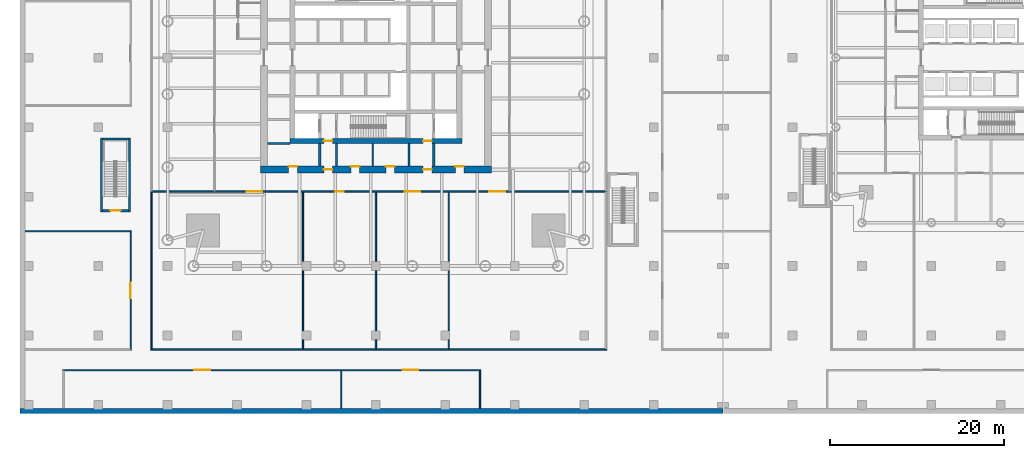
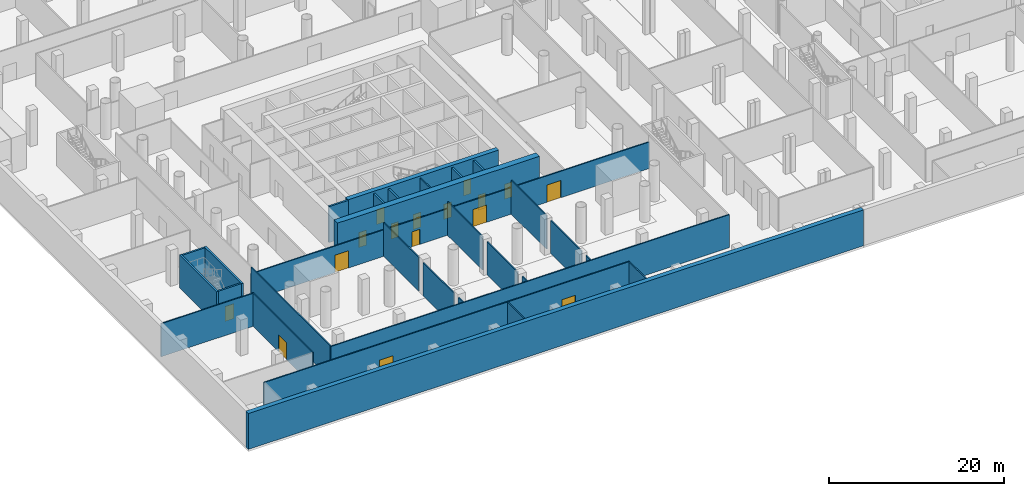
# One storey, part 7 of 22: 30 walls, 16 doors, 16 openings.
"""IFC4 building model written with IfcOpenShell, lengths in metres."""

from ifc_helpers import new_model, si_unit, direction, frame, frame_2d, origin, place, context, subcontext, project, spatial, rectangle, extrude, material, layer, layer_set, type_object, element, fill, save


model = new_model("IFC4")

# Units and contexts
model_context = context("Model", 3, precision=1e-05, world=origin(), true_north=direction((0.0, 1.0)))
body_context = subcontext(model_context, "Body", "Model", "MODEL_VIEW")
ifc_project = project(units=[si_unit("LENGTHUNIT", "METRE"), si_unit("AREAUNIT", "SQUARE_METRE"), si_unit("VOLUMEUNIT", "CUBIC_METRE"), si_unit("PLANEANGLEUNIT", "RADIAN"), si_unit("MASSUNIT", "GRAM", prefix="KILO")], contexts=[model_context])

# Site, building, storey
site_placement = place(None, origin())
site = spatial("IfcSite", under=ifc_project, at=site_placement, CompositionType="ELEMENT")
building_placement = place(site_placement, origin())
building = spatial("IfcBuilding", under=site, at=building_placement, Name="Ostroluk Exchange", CompositionType="ELEMENT")
storey_placement = place(building_placement, frame((0.0, 0.0, -5.0)))
storey = spatial("IfcBuildingStorey", under=building, at=storey_placement, Name="B1", CompositionType="ELEMENT", Elevation=-5.0)

# Walls
ifc_material_1 = material(Name="Concrete C35/45", Category="concrete")
ifc_layer_1 = layer(ifc_material_1, 0.60009765625)
ifc_layer_set_1 = layer_set([ifc_layer_1], Name="Basement retaining wall 600")
wall_type_1 = type_object("IfcWallType", Name="Basement retaining wall 600", PredefinedType="USERDEFINED", material=ifc_layer_set_1)
wall_1_placement = place(storey_placement, frame((4.0, 5.300048828125, 0.0), z_axis=(0.0, 0.0, 1.0), x_axis=(1.0, 0.0, 0.0)))
element("IfcWall", 1, at=wall_1_placement, inside=storey, type_object=wall_type_1, Name="Retaining wall B1 SW", ObjectType="RETAINING WALL", PredefinedType="USERDEFINED", context=body_context, shape_type="SweptSolid", body=[
    extrude(rectangle(XDim=80.97509765625, YDim=0.60009765625, at=frame_2d((40.487548828125, 0.0))), origin(), (0.0, 0.0, 1.0), 5.0),
])
ifc_material_2 = material(Name="Concrete blockwork", Category="masonry")
ifc_layer_2 = layer(ifc_material_2, 0.14990234375)
ifc_layer_set_2 = layer_set([ifc_layer_2], Name="Blockwork plant room wall 150")
wall_type_2 = type_object("IfcWallType", Name="Blockwork plant room wall 150", PredefinedType="SOLIDWALL", material=ifc_layer_set_2)
wall_2_placement = place(storey_placement, frame((44.639892578125, 33.5, 0.0), z_axis=(0.0, 0.0, 1.0), x_axis=(0.0, 1.0, 0.0)))
element("IfcWall", 2, at=wall_2_placement, inside=storey, type_object=wall_type_2, Name="Core room wall", PredefinedType="SOLIDWALL", context=body_context, shape_type="SweptSolid", body=[
    extrude(rectangle(XDim=2.60009765625, YDim=0.14990234375, at=frame_2d((1.300048828125, 0.0))), origin(), (0.0, 0.0, 1.0), 4.699951171875),
])
ifc_material_3 = material(Name="Concrete blockwork", Category="masonry")
ifc_layer_3 = layer(ifc_material_3, 0.25)
ifc_layer_set_3 = layer_set([ifc_layer_3], Name="Blockwork stair enclosure wall 250")
wall_type_3 = type_object("IfcWallType", Name="Blockwork stair enclosure wall 250", PredefinedType="SOLIDWALL", material=ifc_layer_set_3)
for number, where, z_axis, x_axis, name in (
    (3, (38.52490234375, 33.5, 0.0), (0.0, 0.0, 1.0), (0.0, 1.0, 0.0), "Fire lobby enclosure wall"),
    (4, (40.47509765625, 33.5, 0.0), (0.0, 0.0, 1.0), (0.0, 1.0, 0.0), "Fire lobby enclosure wall"),
    (5, (48.804931640625, 33.5, 0.0), (0.0, 0.0, 1.0), (0.0, 1.0, 0.0), "Service lobby enclosure wall"),
    (6, (51.675048828125, 33.5, 0.0), (0.0, 0.0, 1.0), (0.0, 1.0, 0.0), "Service lobby enclosure wall"),
):
    element("IfcWall", number, at=place(storey_placement, frame(where, z_axis=z_axis, x_axis=x_axis)), inside=storey, type_object=wall_type_3, Name=name, PredefinedType="SOLIDWALL", context=body_context, shape_type="SweptSolid", body=[
        extrude(rectangle(XDim=2.60009765625, YDim=0.25, at=frame_2d((1.300048828125, 0.0))), origin(), (0.0, 0.0, 1.0), 4.699951171875),
    ])
for number, where, z_axis, x_axis, name in (
    (7, (13.375, 28.25, 0.0), (0.0, 0.0, 1.0), (0.0, 1.0, 0.0), "Stair PS1 enclosure wall"),
    (8, (16.625, 28.25, 0.0), (0.0, 0.0, 1.0), (0.0, 1.0, 0.0), "Stair PS1 enclosure wall"),
):
    element("IfcWall", number, at=place(storey_placement, frame(where, z_axis=z_axis, x_axis=x_axis)), inside=storey, type_object=wall_type_3, Name=name, PredefinedType="SOLIDWALL", context=body_context, shape_type="SweptSolid", body=[
        extrude(rectangle(XDim=8.5, YDim=0.25, at=frame_2d((4.25, 0.0))), origin(), (0.0, 0.0, 1.0), 4.60009765625),
    ])

# Wall, opening, door
wall_3_placement = place(storey_placement, frame((13.5, 28.375, 0.0), z_axis=(0.0, 0.0, 1.0), x_axis=(1.0, 0.0, 0.0)))
wall_3 = element("IfcWall", 9, at=wall_3_placement, inside=storey, type_object=wall_type_3, Name="Stair PS1 enclosure wall", PredefinedType="SOLIDWALL", context=body_context, shape_type="SweptSolid", body=[
    extrude(rectangle(XDim=3.0, YDim=0.25, at=frame_2d((1.5, 0.0))), origin(), (0.0, 0.0, 1.0), 4.60009765625),
])
opening_1_placement = place(wall_3_placement, frame((0.89990234375, 0.0, 0.0)))
opening_1 = element("IfcOpeningElement", 10, at=opening_1_placement, cuts=wall_3, Name="Opening FD60S", PredefinedType="OPENING", context=body_context, shape_type="SweptSolid", body=[
    extrude(rectangle(XDim=1.199951171875, YDim=2.10009765625, at=frame_2d((0.60009765625, 1.050048828125))), frame((0.0, 0.135009765625, 0.0), z_axis=(0.0, -1.0, 0.0), x_axis=(1.0, 0.0, 0.0)), (0.0, 0.0, 1.0), 0.27001953125),
])
ifc_material_4 = material(Name="Steel", Category="steel")
door_type_1 = type_object("IfcDoorType", Name="Stair door EI 60 1200 x 2100", OperationType="SINGLE_SWING_LEFT", PredefinedType="DOOR", material=ifc_material_4)
door_1_placement = place(opening_1_placement, origin())
door_1 = element("IfcDoor", 11, at=door_1_placement, inside=storey, type_object=door_type_1, Name="Stair PS1 door", OperationType="SINGLE_SWING_LEFT", OverallHeight=2.10009765625, OverallWidth=1.199951171875, PredefinedType="DOOR", context=body_context, shape_type="SweptSolid", body=[
    extrude(rectangle(XDim=1.199951171875, YDim=2.10009765625, at=frame_2d((0.60009765625, 1.050048828125))), frame((0.0, 0.02490234375, 0.0), z_axis=(0.0, -1.0, 0.0), x_axis=(1.0, 0.0, 0.0)), (0.0, 0.0, 1.0), 0.050048828125),
])
fill(opening_1, door_1)

# Walls
wall_4_placement = place(storey_placement, frame((13.5, 36.625, 0.0), z_axis=(0.0, 0.0, 1.0), x_axis=(1.0, 0.0, 0.0)))
element("IfcWall", 12, at=wall_4_placement, inside=storey, type_object=wall_type_3, Name="Stair PS1 enclosure wall", PredefinedType="SOLIDWALL", context=body_context, shape_type="SweptSolid", body=[
    extrude(rectangle(XDim=3.0, YDim=0.25, at=frame_2d((1.5, 0.0))), origin(), (0.0, 0.0, 1.0), 4.60009765625),
])
ifc_material_5 = material(Name="Concrete C40/50", Category="concrete")
ifc_layer_4 = layer(ifc_material_5, 0.25)
ifc_layer_set_4 = layer_set([ifc_layer_4], Name="Core shaft wall 250")
wall_type_4 = type_object("IfcWallType", Name="Core shaft wall 250", PredefinedType="SHEAR", material=ifc_layer_set_4)
wall_5_placement = place(storey_placement, frame((32.5, 36.125, 0.0), z_axis=(0.0, 0.0, 1.0), x_axis=(1.0, 0.0, 0.0)))
element("IfcWall", 13, at=wall_5_placement, inside=storey, type_object=wall_type_4, Name="Lift shaft wall", PredefinedType="SHEAR", context=body_context, shape_type="SweptSolid", body=[
    extrude(rectangle(XDim=2.60009765625, YDim=0.25, at=frame_2d((1.300048828125, 0.0))), origin(), (0.0, 0.0, 1.0), 5.0),
])

# Wall, openings, doors
ifc_material_6 = material(Name="Concrete C50/60", Category="concrete")
ifc_layer_5 = layer(ifc_material_6, 0.60009765625)
ifc_layer_set_5 = layer_set([ifc_layer_5], Name="Core wall 600 C50/60")
wall_type_5 = type_object("IfcWallType", Name="Core wall 600 C50/60", PredefinedType="SHEAR", material=ifc_layer_set_5)
wall_6_placement = place(storey_placement, frame((35.10009765625, 36.39990234375, 0.0), z_axis=(0.0, 0.0, 1.0), x_axis=(1.0, 0.0, 0.0)))
wall_6 = element("IfcWall", 14, at=wall_6_placement, inside=storey, type_object=wall_type_5, Name="T1 core wall S", PredefinedType="SHEAR", context=body_context, shape_type="SweptSolid", body=[
    extrude(rectangle(XDim=19.7998046875, YDim=0.60009765625, at=frame_2d((9.89990234375, 0.0))), origin(), (0.0, 0.0, 1.0), 5.0),
])
opening_2_placement = place(wall_6_placement, frame((3.89990234375, 0.0, 0.0)))
opening_2 = element("IfcOpeningElement", 15, at=opening_2_placement, cuts=wall_6, Name="Opening FD60", PredefinedType="OPENING", context=body_context, shape_type="SweptSolid", body=[
    extrude(rectangle(XDim=1.0, YDim=2.10009765625, at=frame_2d((0.5, 1.050048828125))), frame((0.0, 0.31005859375, 0.0), z_axis=(0.0, -1.0, 0.0), x_axis=(1.0, 0.0, 0.0)), (0.0, 0.0, 1.0), 0.6201171875),
])
opening_3_placement = place(wall_6_placement, frame((15.35009765625, 0.0, 0.0)))
opening_3 = element("IfcOpeningElement", 16, at=opening_3_placement, cuts=wall_6, Name="Opening FD60", PredefinedType="OPENING", context=body_context, shape_type="SweptSolid", body=[
    extrude(rectangle(XDim=1.0, YDim=2.10009765625, at=frame_2d((0.5, 1.050048828125))), frame((0.0, 0.31005859375, 0.0), z_axis=(0.0, -1.0, 0.0), x_axis=(1.0, 0.0, 0.0)), (0.0, 0.0, 1.0), 0.6201171875),
])
ifc_material_7 = material(Name="Steel", Category="steel")
door_type_2 = type_object("IfcDoorType", Name="Fire door EI 60 1000 x 2100", OperationType="SINGLE_SWING_LEFT", PredefinedType="DOOR", material=ifc_material_7)
door_2_placement = place(opening_2_placement, origin())
door_2 = element("IfcDoor", 17, at=door_2_placement, inside=storey, type_object=door_type_2, Name="Firefighting lobby door", OperationType="SINGLE_SWING_LEFT", OverallHeight=2.10009765625, OverallWidth=1.0, PredefinedType="DOOR", context=body_context, shape_type="SweptSolid", body=[
    extrude(rectangle(XDim=1.0, YDim=2.10009765625, at=frame_2d((0.5, 1.050048828125))), frame((0.0, 0.02490234375, 0.0), z_axis=(0.0, -1.0, 0.0), x_axis=(1.0, 0.0, 0.0)), (0.0, 0.0, 1.0), 0.050048828125),
])
fill(opening_2, door_2)
door_3_placement = place(opening_3_placement, origin())
door_3 = element("IfcDoor", 18, at=door_3_placement, inside=storey, type_object=door_type_2, Name="Service lobby door", OperationType="SINGLE_SWING_RIGHT", OverallHeight=2.10009765625, OverallWidth=1.0, PredefinedType="DOOR", context=body_context, shape_type="SweptSolid", body=[
    extrude(rectangle(XDim=1.0, YDim=2.10009765625, at=frame_2d((0.5, 1.050048828125))), frame((0.0, 0.02490234375, 0.0), z_axis=(0.0, -1.0, 0.0), x_axis=(1.0, 0.0, 0.0)), (0.0, 0.0, 1.0), 0.050048828125),
])
fill(opening_3, door_3)

ifc_material_8 = material(Name="Concrete C50/60", Category="concrete")
ifc_layer_6 = layer(ifc_material_8, 0.800048828125)
ifc_layer_set_6 = layer_set([ifc_layer_6], Name="Core wall 800 C50/60")
wall_type_6 = type_object("IfcWallType", Name="Core wall 800 C50/60", PredefinedType="SHEAR", material=ifc_layer_set_6)
wall_7_placement = place(storey_placement, frame((31.699951171875, 33.10009765625, 0.0), z_axis=(0.0, 0.0, 1.0), x_axis=(1.0, 0.0, 0.0)))
wall_7 = element("IfcWall", 19, at=wall_7_placement, inside=storey, type_object=wall_type_6, Name="T1 core wall RS", PredefinedType="SHEAR", context=body_context, shape_type="SweptSolid", body=[
    extrude(rectangle(XDim=26.60009765625, YDim=0.800048828125, at=frame_2d((13.300048828125, 0.0))), origin(), (0.0, 0.0, 1.0), 5.0),
])
opening_4_placement = place(wall_7_placement, frame((7.300048828125, 0.0, 0.0)))
opening_4 = element("IfcOpeningElement", 20, at=opening_4_placement, cuts=wall_7, Name="Opening FD60", PredefinedType="OPENING", context=body_context, shape_type="SweptSolid", body=[
    extrude(rectangle(XDim=1.0, YDim=2.10009765625, at=frame_2d((0.5, 1.050048828125))), frame((0.0, 0.409912109375, 0.0), z_axis=(0.0, -1.0, 0.0), x_axis=(1.0, 0.0, 0.0)), (0.0, 0.0, 1.0), 0.820068359375),
])
opening_5_placement = place(wall_7_placement, frame((18.75, 0.0, 0.0)))
opening_5 = element("IfcOpeningElement", 21, at=opening_5_placement, cuts=wall_7, Name="Opening FD60", PredefinedType="OPENING", context=body_context, shape_type="SweptSolid", body=[
    extrude(rectangle(XDim=1.0, YDim=2.10009765625, at=frame_2d((0.5, 1.050048828125))), frame((0.0, 0.409912109375, 0.0), z_axis=(0.0, -1.0, 0.0), x_axis=(1.0, 0.0, 0.0)), (0.0, 0.0, 1.0), 0.820068359375),
])
opening_6_placement = place(wall_7_placement, frame((3.25, 0.0, 0.0)))
opening_6 = element("IfcOpeningElement", 22, at=opening_6_placement, cuts=wall_7, Name="Opening FD60", PredefinedType="OPENING", context=body_context, shape_type="SweptSolid", body=[
    extrude(rectangle(XDim=1.0, YDim=2.10009765625, at=frame_2d((0.5, 1.050048828125))), frame((0.0, 0.409912109375, 0.0), z_axis=(0.0, -1.0, 0.0), x_axis=(1.0, 0.0, 0.0)), (0.0, 0.0, 1.0), 0.820068359375),
])
opening_7_placement = place(wall_7_placement, frame((10.419921875, 0.0, 0.0)))
opening_7 = element("IfcOpeningElement", 23, at=opening_7_placement, cuts=wall_7, Name="Opening FD60", PredefinedType="OPENING", context=body_context, shape_type="SweptSolid", body=[
    extrude(rectangle(XDim=1.0, YDim=2.10009765625, at=frame_2d((0.5, 1.050048828125))), frame((0.0, 0.409912109375, 0.0), z_axis=(0.0, -1.0, 0.0), x_axis=(1.0, 0.0, 0.0)), (0.0, 0.0, 1.0), 0.820068359375),
])
opening_8_placement = place(wall_7_placement, frame((14.4599609375, 0.0, 0.0)))
opening_8 = element("IfcOpeningElement", 24, at=opening_8_placement, cuts=wall_7, Name="Opening FD60", PredefinedType="OPENING", context=body_context, shape_type="SweptSolid", body=[
    extrude(rectangle(XDim=1.0, YDim=2.10009765625, at=frame_2d((0.5, 1.050048828125))), frame((0.0, 0.409912109375, 0.0), z_axis=(0.0, -1.0, 0.0), x_axis=(1.0, 0.0, 0.0)), (0.0, 0.0, 1.0), 0.820068359375),
])
opening_9_placement = place(wall_7_placement, frame((22.449951171875, 0.0, 0.0)))
opening_9 = element("IfcOpeningElement", 25, at=opening_9_placement, cuts=wall_7, Name="Opening FD60", PredefinedType="OPENING", context=body_context, shape_type="SweptSolid", body=[
    extrude(rectangle(XDim=1.0, YDim=2.10009765625, at=frame_2d((0.5, 1.050048828125))), frame((0.0, 0.409912109375, 0.0), z_axis=(0.0, -1.0, 0.0), x_axis=(1.0, 0.0, 0.0)), (0.0, 0.0, 1.0), 0.820068359375),
])
door_4_placement = place(opening_4_placement, origin())
door_4 = element("IfcDoor", 26, at=door_4_placement, inside=storey, type_object=door_type_2, Name="Firefighting lobby door", OperationType="SINGLE_SWING_LEFT", OverallHeight=2.10009765625, OverallWidth=1.0, PredefinedType="DOOR", context=body_context, shape_type="SweptSolid", body=[
    extrude(rectangle(XDim=1.0, YDim=2.10009765625, at=frame_2d((0.5, 1.050048828125))), frame((0.0, 0.02490234375, 0.0), z_axis=(0.0, -1.0, 0.0), x_axis=(1.0, 0.0, 0.0)), (0.0, 0.0, 1.0), 0.050048828125),
])
fill(opening_4, door_4)
door_5_placement = place(opening_5_placement, origin())
door_5 = element("IfcDoor", 27, at=door_5_placement, inside=storey, type_object=door_type_2, Name="Service lobby door", OperationType="SINGLE_SWING_RIGHT", OverallHeight=2.10009765625, OverallWidth=1.0, PredefinedType="DOOR", context=body_context, shape_type="SweptSolid", body=[
    extrude(rectangle(XDim=1.0, YDim=2.10009765625, at=frame_2d((0.5, 1.050048828125))), frame((0.0, 0.02490234375, 0.0), z_axis=(0.0, -1.0, 0.0), x_axis=(1.0, 0.0, 0.0)), (0.0, 0.0, 1.0), 0.050048828125),
])
fill(opening_5, door_5)
door_6_placement = place(opening_6_placement, origin())
door_6 = element("IfcDoor", 28, at=door_6_placement, inside=storey, type_object=door_type_2, Name="Cleaner's store door", OperationType="SINGLE_SWING_LEFT", OverallHeight=2.10009765625, OverallWidth=1.0, PredefinedType="DOOR", context=body_context, shape_type="SweptSolid", body=[
    extrude(rectangle(XDim=1.0, YDim=2.10009765625, at=frame_2d((0.5, 1.050048828125))), frame((0.0, 0.39013671875, 0.0), z_axis=(0.0, -1.0, 0.0), x_axis=(1.0, 0.0, 0.0)), (0.0, 0.0, 1.0), 0.050048828125),
])
fill(opening_6, door_6)
door_7_placement = place(opening_7_placement, origin())
door_7 = element("IfcDoor", 29, at=door_7_placement, inside=storey, type_object=door_type_2, Name="Comms switch room door", OperationType="SINGLE_SWING_LEFT", OverallHeight=2.10009765625, OverallWidth=1.0, PredefinedType="DOOR", context=body_context, shape_type="SweptSolid", body=[
    extrude(rectangle(XDim=1.0, YDim=2.10009765625, at=frame_2d((0.5, 1.050048828125))), frame((0.0, 0.39013671875, 0.0), z_axis=(0.0, -1.0, 0.0), x_axis=(1.0, 0.0, 0.0)), (0.0, 0.0, 1.0), 0.050048828125),
])
fill(opening_7, door_7)
door_8_placement = place(opening_8_placement, origin())
door_8 = element("IfcDoor", 30, at=door_8_placement, inside=storey, type_object=door_type_2, Name="Electrical switch room door", OperationType="SINGLE_SWING_RIGHT", OverallHeight=2.10009765625, OverallWidth=1.0, PredefinedType="DOOR", context=body_context, shape_type="SweptSolid", body=[
    extrude(rectangle(XDim=1.0, YDim=2.10009765625, at=frame_2d((0.5, 1.050048828125))), frame((0.0, 0.39013671875, 0.0), z_axis=(0.0, -1.0, 0.0), x_axis=(1.0, 0.0, 0.0)), (0.0, 0.0, 1.0), 0.050048828125),
])
fill(opening_8, door_8)
door_9_placement = place(opening_9_placement, origin())
door_9 = element("IfcDoor", 31, at=door_9_placement, inside=storey, type_object=door_type_2, Name="Cleaner's store door", OperationType="SINGLE_SWING_RIGHT", OverallHeight=2.10009765625, OverallWidth=1.0, PredefinedType="DOOR", context=body_context, shape_type="SweptSolid", body=[
    extrude(rectangle(XDim=1.0, YDim=2.10009765625, at=frame_2d((0.5, 1.050048828125))), frame((0.0, 0.39013671875, 0.0), z_axis=(0.0, -1.0, 0.0), x_axis=(1.0, 0.0, 0.0)), (0.0, 0.0, 1.0), 0.050048828125),
])
fill(opening_9, door_9)

ifc_material_9 = material(Name="Gypsum plasterboard partition", Category="gypsum")
ifc_layer_7 = layer(ifc_material_9, 0.14990234375)
ifc_layer_set_7 = layer_set([ifc_layer_7], Name="Plasterboard partition 150")
wall_type_7 = type_object("IfcWallType", Name="Plasterboard partition 150", PredefinedType="PARTITIONING", material=ifc_layer_set_7)
wall_8_placement = place(storey_placement, frame((8.925048828125, 10.0, 0.0), z_axis=(0.0, 0.0, 1.0), x_axis=(1.0, 0.0, 0.0)))
wall_8 = element("IfcWall", 32, at=wall_8_placement, inside=storey, type_object=wall_type_7, Name="Partition", PredefinedType="PARTITIONING", context=body_context, shape_type="SweptSolid", body=[
    extrude(rectangle(XDim=48.14990234375, YDim=0.14990234375, at=frame_2d((24.074951171875, 0.0))), origin(), (0.0, 0.0, 1.0), 4.60009765625),
])
opening_10_placement = place(wall_8_placement, frame((15.175048828125, 0.0, 0.0)))
opening_10 = element("IfcOpeningElement", 33, at=opening_10_placement, cuts=wall_8, Name="Opening D-05", PredefinedType="OPENING", context=body_context, shape_type="SweptSolid", body=[
    extrude(rectangle(XDim=1.800048828125, YDim=2.39990234375, at=frame_2d((0.89990234375, 1.199951171875))), frame((0.0, 0.0849609375, 0.0), z_axis=(0.0, -1.0, 0.0), x_axis=(1.0, 0.0, 0.0)), (0.0, 0.0, 1.0), 0.169921875),
])
opening_11_placement = place(wall_8_placement, frame((39.175048828125, 0.0, 0.0)))
opening_11 = element("IfcOpeningElement", 34, at=opening_11_placement, cuts=wall_8, Name="Opening D-05", PredefinedType="OPENING", context=body_context, shape_type="SweptSolid", body=[
    extrude(rectangle(XDim=1.800048828125, YDim=2.39990234375, at=frame_2d((0.89990234375, 1.199951171875))), frame((0.0, 0.0849609375, 0.0), z_axis=(0.0, -1.0, 0.0), x_axis=(1.0, 0.0, 0.0)), (0.0, 0.0, 1.0), 0.169921875),
])
ifc_material_10 = material(Name="Steel", Category="steel")
door_type_3 = type_object("IfcDoorType", Name="Plant room double door EI 60 1800 x 2400", OperationType="DOUBLE_DOOR_SINGLE_SWING", PredefinedType="DOOR", material=ifc_material_10)
door_10_placement = place(opening_10_placement, origin())
door_10 = element("IfcDoor", 35, at=door_10_placement, inside=storey, type_object=door_type_3, Name="Mechanical plant room door", OperationType="DOUBLE_DOOR_SINGLE_SWING", OverallHeight=2.39990234375, OverallWidth=1.800048828125, PredefinedType="DOOR", context=body_context, shape_type="SweptSolid", body=[
    extrude(rectangle(XDim=1.800048828125, YDim=2.39990234375, at=frame_2d((0.89990234375, 1.199951171875))), frame((0.0, 0.02490234375, 0.0), z_axis=(0.0, -1.0, 0.0), x_axis=(1.0, 0.0, 0.0)), (0.0, 0.0, 1.0), 0.050048828125),
])
fill(opening_10, door_10)
door_11_placement = place(opening_11_placement, origin())
door_11 = element("IfcDoor", 36, at=door_11_placement, inside=storey, type_object=door_type_3, Name="Electrical switch room door", OperationType="DOUBLE_DOOR_SINGLE_SWING", OverallHeight=2.39990234375, OverallWidth=1.800048828125, PredefinedType="DOOR", context=body_context, shape_type="SweptSolid", body=[
    extrude(rectangle(XDim=1.800048828125, YDim=2.39990234375, at=frame_2d((0.89990234375, 1.199951171875))), frame((0.0, 0.02490234375, 0.0), z_axis=(0.0, -1.0, 0.0), x_axis=(1.0, 0.0, 0.0)), (0.0, 0.0, 1.0), 0.050048828125),
])
fill(opening_11, door_11)

# Walls
for number, where, z_axis, x_axis, name in (
    (37, (41.0, 9.925048828125, 0.0), (0.0, 0.0, 1.0), (0.0, -1.0, 0.0), "Partition"),
    (38, (57.0, 9.925048828125, 0.0), (0.0, 0.0, 1.0), (0.0, -1.0, 0.0), "Partition"),
):
    element("IfcWall", number, at=place(storey_placement, frame(where, z_axis=z_axis, x_axis=x_axis)), inside=storey, type_object=wall_type_7, Name=name, PredefinedType="PARTITIONING", context=body_context, shape_type="SweptSolid", body=[
        extrude(rectangle(XDim=4.324951171875, YDim=0.14990234375, at=frame_2d((2.16259765625, 0.0))), origin(), (0.0, 0.0, 1.0), 4.60009765625),
    ])

# Wall, opening, door
wall_9_placement = place(storey_placement, frame((16.75, 12.324951171875, 0.0), z_axis=(0.0, 0.0, 1.0), x_axis=(0.0, 1.0, 0.0)))
wall_9 = element("IfcWall", 39, at=wall_9_placement, inside=storey, type_object=wall_type_7, Name="Partition", PredefinedType="PARTITIONING", context=body_context, shape_type="SweptSolid", body=[
    extrude(rectangle(XDim=13.75, YDim=0.14990234375, at=frame_2d((6.875, 0.0))), origin(), (0.0, 0.0, 1.0), 4.60009765625),
])
opening_12_placement = place(wall_9_placement, frame((5.97509765625, 0.0, 0.0)))
opening_12 = element("IfcOpeningElement", 40, at=opening_12_placement, cuts=wall_9, Name="Opening D-04", PredefinedType="OPENING", context=body_context, shape_type="SweptSolid", body=[
    extrude(rectangle(XDim=1.800048828125, YDim=2.39990234375, at=frame_2d((0.89990234375, 1.199951171875))), frame((0.0, 0.0849609375, 0.0), z_axis=(0.0, -1.0, 0.0), x_axis=(1.0, 0.0, 0.0)), (0.0, 0.0, 1.0), 0.169921875),
])
ifc_material_11 = material(Name="Timber", Category="wood")
door_type_4 = type_object("IfcDoorType", Name="Double door 1800 x 2400", OperationType="DOUBLE_DOOR_SINGLE_SWING", PredefinedType="DOOR", material=ifc_material_11)
door_12_placement = place(opening_12_placement, origin())
door_12 = element("IfcDoor", 41, at=door_12_placement, inside=storey, type_object=door_type_4, Name="Cycle hub door", OperationType="DOUBLE_DOOR_SINGLE_SWING", OverallHeight=2.39990234375, OverallWidth=1.800048828125, PredefinedType="DOOR", context=body_context, shape_type="SweptSolid", body=[
    extrude(rectangle(XDim=1.800048828125, YDim=2.39990234375, at=frame_2d((0.89990234375, 1.199951171875))), frame((0.0, 0.02490234375, 0.0), z_axis=(0.0, -1.0, 0.0), x_axis=(1.0, 0.0, 0.0)), (0.0, 0.0, 1.0), 0.050048828125),
])
fill(opening_12, door_12)

# Walls
wall_10_placement = place(storey_placement, frame((4.60009765625, 26.0, 0.0), z_axis=(0.0, 0.0, 1.0), x_axis=(1.0, 0.0, 0.0)))
element("IfcWall", 42, at=wall_10_placement, inside=storey, type_object=wall_type_7, Name="Partition", PredefinedType="PARTITIONING", context=body_context, shape_type="SweptSolid", body=[
    extrude(rectangle(XDim=12.074951171875, YDim=0.14990234375, at=frame_2d((6.03759765625, 0.0))), origin(), (0.0, 0.0, 1.0), 4.60009765625),
])
wall_11_placement = place(storey_placement, frame((19.074951171875, 12.39990234375, 0.0), z_axis=(0.0, 0.0, 1.0), x_axis=(1.0, 0.0, 0.0)))
element("IfcWall", 43, at=wall_11_placement, inside=storey, type_object=wall_type_7, Name="Partition", PredefinedType="PARTITIONING", context=body_context, shape_type="SweptSolid", body=[
    extrude(rectangle(XDim=52.5, YDim=0.14990234375, at=frame_2d((26.25, 0.0))), origin(), (0.0, 0.0, 1.0), 4.60009765625),
])

# Wall, openings, doors
wall_12_placement = place(storey_placement, frame((19.074951171875, 30.60009765625, 0.0), z_axis=(0.0, 0.0, 1.0), x_axis=(1.0, 0.0, 0.0)))
wall_12 = element("IfcWall", 44, at=wall_12_placement, inside=storey, type_object=wall_type_7, Name="Partition", PredefinedType="PARTITIONING", context=body_context, shape_type="SweptSolid", body=[
    extrude(rectangle(XDim=52.5, YDim=0.14990234375, at=frame_2d((26.25, 0.0))), origin(), (0.0, 0.0, 1.0), 3.68798828125),
])
opening_13_placement = place(wall_12_placement, frame((11.044921875, 0.0, 0.0)))
opening_13 = element("IfcOpeningElement", 45, at=opening_13_placement, cuts=wall_12, Name="Opening D-04", PredefinedType="OPENING", context=body_context, shape_type="SweptSolid", body=[
    extrude(rectangle(XDim=1.800048828125, YDim=2.39990234375, at=frame_2d((0.89990234375, 1.199951171875))), frame((0.0, 0.0849609375, 0.0), z_axis=(0.0, -1.0, 0.0), x_axis=(1.0, 0.0, 0.0)), (0.0, 0.0, 1.0), 0.169921875),
])
opening_14_placement = place(wall_12_placement, frame((21.22509765625, 0.0, 0.0)))
opening_14 = element("IfcOpeningElement", 46, at=opening_14_placement, cuts=wall_12, Name="Opening D-03", PredefinedType="OPENING", context=body_context, shape_type="SweptSolid", body=[
    extrude(rectangle(XDim=1.0, YDim=2.10009765625, at=frame_2d((0.5, 1.050048828125))), frame((0.0, 0.0849609375, 0.0), z_axis=(0.0, -1.0, 0.0), x_axis=(1.0, 0.0, 0.0)), (0.0, 0.0, 1.0), 0.169921875),
])
opening_15_placement = place(wall_12_placement, frame((29.22509765625, 0.0, 0.0)))
opening_15 = element("IfcOpeningElement", 47, at=opening_15_placement, cuts=wall_12, Name="Opening D-04", PredefinedType="OPENING", context=body_context, shape_type="SweptSolid", body=[
    extrude(rectangle(XDim=1.800048828125, YDim=2.39990234375, at=frame_2d((0.89990234375, 1.199951171875))), frame((0.0, 0.0849609375, 0.0), z_axis=(0.0, -1.0, 0.0), x_axis=(1.0, 0.0, 0.0)), (0.0, 0.0, 1.0), 0.169921875),
])
opening_16_placement = place(wall_12_placement, frame((39.0048828125, 0.0, 0.0)))
opening_16 = element("IfcOpeningElement", 48, at=opening_16_placement, cuts=wall_12, Name="Opening D-04", PredefinedType="OPENING", context=body_context, shape_type="SweptSolid", body=[
    extrude(rectangle(XDim=1.800048828125, YDim=2.39990234375, at=frame_2d((0.89990234375, 1.199951171875))), frame((0.0, 0.0849609375, 0.0), z_axis=(0.0, -1.0, 0.0), x_axis=(1.0, 0.0, 0.0)), (0.0, 0.0, 1.0), 0.169921875),
])
door_13_placement = place(opening_13_placement, origin())
door_13 = element("IfcDoor", 49, at=door_13_placement, inside=storey, type_object=door_type_4, Name="Estate management office door", OperationType="DOUBLE_DOOR_SINGLE_SWING", OverallHeight=2.39990234375, OverallWidth=1.800048828125, PredefinedType="DOOR", context=body_context, shape_type="SweptSolid", body=[
    extrude(rectangle(XDim=1.800048828125, YDim=2.39990234375, at=frame_2d((0.89990234375, 1.199951171875))), frame((0.0, 0.02490234375, 0.0), z_axis=(0.0, -1.0, 0.0), x_axis=(1.0, 0.0, 0.0)), (0.0, 0.0, 1.0), 0.050048828125),
])
fill(opening_13, door_13)
door_14_placement = place(opening_15_placement, origin())
door_14 = element("IfcDoor", 50, at=door_14_placement, inside=storey, type_object=door_type_4, Name="Station operations office door", OperationType="DOUBLE_DOOR_SINGLE_SWING", OverallHeight=2.39990234375, OverallWidth=1.800048828125, PredefinedType="DOOR", context=body_context, shape_type="SweptSolid", body=[
    extrude(rectangle(XDim=1.800048828125, YDim=2.39990234375, at=frame_2d((0.89990234375, 1.199951171875))), frame((0.0, 0.02490234375, 0.0), z_axis=(0.0, -1.0, 0.0), x_axis=(1.0, 0.0, 0.0)), (0.0, 0.0, 1.0), 0.050048828125),
])
fill(opening_15, door_14)
door_15_placement = place(opening_16_placement, origin())
door_15 = element("IfcDoor", 51, at=door_15_placement, inside=storey, type_object=door_type_4, Name="Security control room door", OperationType="DOUBLE_DOOR_SINGLE_SWING", OverallHeight=2.39990234375, OverallWidth=1.800048828125, PredefinedType="DOOR", context=body_context, shape_type="SweptSolid", body=[
    extrude(rectangle(XDim=1.800048828125, YDim=2.39990234375, at=frame_2d((0.89990234375, 1.199951171875))), frame((0.0, 0.02490234375, 0.0), z_axis=(0.0, -1.0, 0.0), x_axis=(1.0, 0.0, 0.0)), (0.0, 0.0, 1.0), 0.050048828125),
])
fill(opening_16, door_15)
ifc_material_12 = material(Name="Timber", Category="wood")
door_type_5 = type_object("IfcDoorType", Name="Internal door 1000 x 2100", OperationType="SINGLE_SWING_LEFT", PredefinedType="DOOR", material=ifc_material_12)
door_16_placement = place(opening_14_placement, origin())
door_16 = element("IfcDoor", 52, at=door_16_placement, inside=storey, type_object=door_type_5, Name="Staff room door", OperationType="SINGLE_SWING_LEFT", OverallHeight=2.10009765625, OverallWidth=1.0, PredefinedType="DOOR", context=body_context, shape_type="SweptSolid", body=[
    extrude(rectangle(XDim=1.0, YDim=2.10009765625, at=frame_2d((0.5, 1.050048828125))), frame((0.0, 0.02490234375, 0.0), z_axis=(0.0, -1.0, 0.0), x_axis=(1.0, 0.0, 0.0)), (0.0, 0.0, 1.0), 0.050048828125),
])
fill(opening_14, door_16)

# Walls
wall_13_placement = place(storey_placement, frame((19.14990234375, 12.47509765625, 0.0), z_axis=(0.0, 0.0, 1.0), x_axis=(0.0, 1.0, 0.0)))
element("IfcWall", 53, at=wall_13_placement, inside=storey, type_object=wall_type_7, Name="Partition", PredefinedType="PARTITIONING", context=body_context, shape_type="SweptSolid", body=[
    extrude(rectangle(XDim=18.0498046875, YDim=0.14990234375, at=frame_2d((9.02490234375, 0.0))), origin(), (0.0, 0.0, 1.0), 4.60009765625),
])
wall_14_placement = place(storey_placement, frame((36.60009765625, 12.47509765625, 0.0), z_axis=(0.0, 0.0, 1.0), x_axis=(0.0, 1.0, 0.0)))
element("IfcWall", 54, at=wall_14_placement, inside=storey, type_object=wall_type_7, Name="Partition", PredefinedType="PARTITIONING", context=body_context, shape_type="SweptSolid", body=[
    extrude(rectangle(XDim=1.02490234375, YDim=0.14990234375, at=frame_2d((0.512451171875, 0.0))), origin(), (0.0, 0.0, 1.0), 4.60009765625),
])
wall_15_placement = place(storey_placement, frame((36.60009765625, 14.5, 0.0), z_axis=(0.0, 0.0, 1.0), x_axis=(0.0, 1.0, 0.0)))
element("IfcWall", 55, at=wall_15_placement, inside=storey, type_object=wall_type_7, Name="Partition", PredefinedType="PARTITIONING", context=body_context, shape_type="SweptSolid", body=[
    extrude(rectangle(XDim=7.0, YDim=0.14990234375, at=frame_2d((3.5, 0.0))), origin(), (0.0, 0.0, 1.0), 4.60009765625),
])
wall_16_placement = place(storey_placement, frame((36.60009765625, 22.5, 0.0), z_axis=(0.0, 0.0, 1.0), x_axis=(0.0, 1.0, 0.0)))
element("IfcWall", 56, at=wall_16_placement, inside=storey, type_object=wall_type_7, Name="Partition", PredefinedType="PARTITIONING", context=body_context, shape_type="SweptSolid", body=[
    extrude(rectangle(XDim=8.02490234375, YDim=0.14990234375, at=frame_2d((4.012451171875, 0.0))), origin(), (0.0, 0.0, 1.0), 4.699951171875),
])
wall_17_placement = place(storey_placement, frame((45.0, 12.47509765625, 0.0), z_axis=(0.0, 0.0, 1.0), x_axis=(0.0, 1.0, 0.0)))
element("IfcWall", 57, at=wall_17_placement, inside=storey, type_object=wall_type_7, Name="Partition", PredefinedType="PARTITIONING", context=body_context, shape_type="SweptSolid", body=[
    extrude(rectangle(XDim=1.02490234375, YDim=0.14990234375, at=frame_2d((0.512451171875, 0.0))), origin(), (0.0, 0.0, 1.0), 4.60009765625),
])
wall_18_placement = place(storey_placement, frame((45.0, 14.5, 0.0), z_axis=(0.0, 0.0, 1.0), x_axis=(0.0, 1.0, 0.0)))
element("IfcWall", 58, at=wall_18_placement, inside=storey, type_object=wall_type_7, Name="Partition", PredefinedType="PARTITIONING", context=body_context, shape_type="SweptSolid", body=[
    extrude(rectangle(XDim=7.0, YDim=0.14990234375, at=frame_2d((3.5, 0.0))), origin(), (0.0, 0.0, 1.0), 4.60009765625),
])
wall_19_placement = place(storey_placement, frame((45.0, 22.5, 0.0), z_axis=(0.0, 0.0, 1.0), x_axis=(0.0, 1.0, 0.0)))
element("IfcWall", 59, at=wall_19_placement, inside=storey, type_object=wall_type_7, Name="Partition", PredefinedType="PARTITIONING", context=body_context, shape_type="SweptSolid", body=[
    extrude(rectangle(XDim=8.02490234375, YDim=0.14990234375, at=frame_2d((4.012451171875, 0.0))), origin(), (0.0, 0.0, 1.0), 4.699951171875),
])
wall_20_placement = place(storey_placement, frame((53.39990234375, 12.47509765625, 0.0), z_axis=(0.0, 0.0, 1.0), x_axis=(0.0, 1.0, 0.0)))
element("IfcWall", 60, at=wall_20_placement, inside=storey, type_object=wall_type_7, Name="Partition", PredefinedType="PARTITIONING", context=body_context, shape_type="SweptSolid", body=[
    extrude(rectangle(XDim=1.02490234375, YDim=0.14990234375, at=frame_2d((0.512451171875, 0.0))), origin(), (0.0, 0.0, 1.0), 4.60009765625),
])
wall_21_placement = place(storey_placement, frame((53.39990234375, 14.5, 0.0), z_axis=(0.0, 0.0, 1.0), x_axis=(0.0, 1.0, 0.0)))
element("IfcWall", 61, at=wall_21_placement, inside=storey, type_object=wall_type_7, Name="Partition", PredefinedType="PARTITIONING", context=body_context, shape_type="SweptSolid", body=[
    extrude(rectangle(XDim=7.0, YDim=0.14990234375, at=frame_2d((3.5, 0.0))), origin(), (0.0, 0.0, 1.0), 4.60009765625),
])
wall_22_placement = place(storey_placement, frame((53.39990234375, 22.5, 0.0), z_axis=(0.0, 0.0, 1.0), x_axis=(0.0, 1.0, 0.0)))
element("IfcWall", 62, at=wall_22_placement, inside=storey, type_object=wall_type_7, Name="Partition", PredefinedType="PARTITIONING", context=body_context, shape_type="SweptSolid", body=[
    extrude(rectangle(XDim=8.02490234375, YDim=0.14990234375, at=frame_2d((4.012451171875, 0.0))), origin(), (0.0, 0.0, 1.0), 4.699951171875),
])

save(model, "model.ifc")
